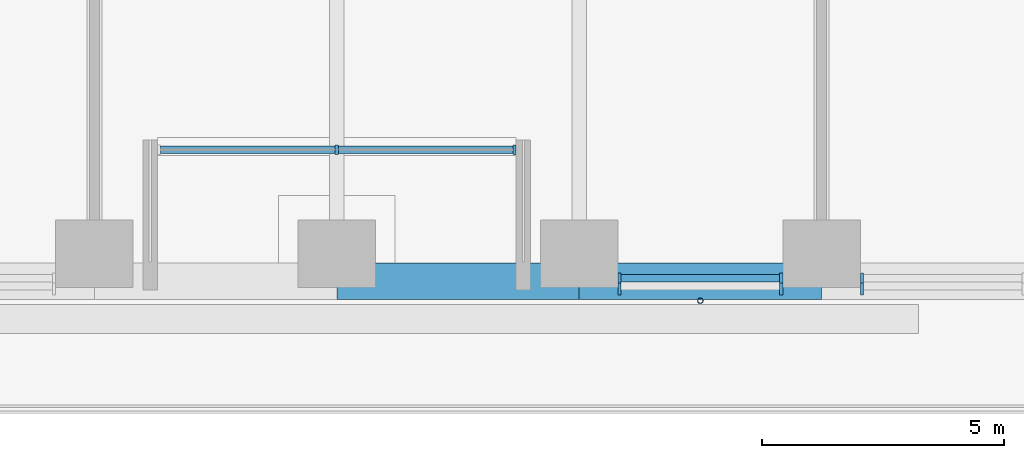
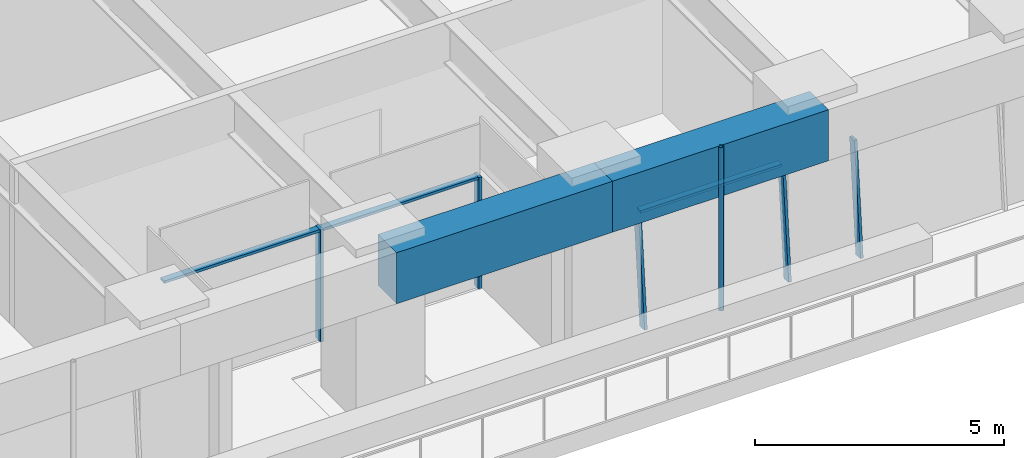
# One storey, part 4 of 24: 8 members, 2 beams, 3 elements without a shape of their own.
"""IFC4 building model written with IfcOpenShell, lengths in metres."""

from ifc_helpers import new_model, si_unit, direction, frame, origin, origin_2d, place, context, subcontext, project, spatial, rectangle, hollow_circle, extrude, material, material_profile, profile_set, type_object, element, aggregate, save


model = new_model("IFC4")

# Units and contexts
model_context = context("Model", 3, precision=1e-05, world=origin(), true_north=direction((0.0, 1.0)))
body_context = subcontext(model_context, "Body", "Model", "MODEL_VIEW")
ifc_project = project(units=[si_unit("LENGTHUNIT", "METRE"), si_unit("AREAUNIT", "SQUARE_METRE"), si_unit("VOLUMEUNIT", "CUBIC_METRE"), si_unit("PLANEANGLEUNIT", "RADIAN"), si_unit("MASSUNIT", "GRAM", prefix="KILO")], contexts=[model_context])

# Site, building, storey
site_placement = place(None, origin())
site = spatial("IfcSite", under=ifc_project, at=site_placement, CompositionType="ELEMENT")
building_placement = place(site_placement, origin())
building = spatial("IfcBuilding", under=site, at=building_placement, Name="Tarfa Lantern Tower", CompositionType="ELEMENT")
storey_placement = place(building_placement, frame((0.0, 0.0, 178.300048828125)))
storey = spatial("IfcBuildingStorey", under=building, at=storey_placement, Name="L40", CompositionType="ELEMENT", Elevation=178.300048828125)

# Curtain wall, members
ifc_material_1 = material(Name="Aluminium framed curtain wall", Category="aluminium")
curtain_wall_type_1 = type_object("IfcCurtainWallType", Name="CW2 CANTED GLAZING MID ZONE 2750", PredefinedType="USERDEFINED", material=ifc_material_1)
curtain_wall_1_placement = place(storey_placement, origin())
curtain_wall_1 = element("IfcCurtainWall", 1, at=curtain_wall_1_placement, inside=storey, type_object=curtain_wall_type_1, Name="CW2 SB L40", ObjectType="CURTAIN WALL", PredefinedType="USERDEFINED")
ifc_material_2 = material(Name="Aluminium mullion", Category="aluminium")
ifc_material_profile_1 = material_profile(ifc_material_2, rectangle(XDim=0.06494140625, YDim=0.199951171875, at=origin_2d()), Name="AL MULLION 65x200")
ifc_profile_set_1 = profile_set([ifc_material_profile_1], Name="Aluminium mullion")
member_type_1 = type_object("IfcMemberType", Name="CWM1 MULLION 65x200", PredefinedType="MULLION", material=ifc_profile_set_1)
member_1_placement = place(storey_placement, frame((5.836181640625, -31.39990234375, 0.0), z_axis=(0.0, 0.090535746043, 0.995893206468), x_axis=(-1.0, 0.0, 0.0)))
member_1 = element("IfcMember", 2, at=member_1_placement, type_object=member_type_1, Name="CW2 mullion 1", PredefinedType="MULLION", context=body_context, shape_type="SweptSolid", body=[
    extrude(rectangle(XDim=0.06494140625, YDim=0.199951171875, at=origin_2d()), origin(), (0.0, 0.0, 1.0), 2.76123046875),
])
member_2_placement = place(storey_placement, frame((9.1748046875, -31.39990234375, 0.0), z_axis=(0.0, 0.090535746043, 0.995893206468), x_axis=(-1.0, 0.0, 0.0)))
member_2 = element("IfcMember", 3, at=member_2_placement, type_object=member_type_1, Name="CW2 mullion 2", PredefinedType="MULLION", context=body_context, shape_type="SweptSolid", body=[
    extrude(rectangle(XDim=0.06494140625, YDim=0.199951171875, at=origin_2d()), origin(), (0.0, 0.0, 1.0), 2.76123046875),
])

# Curtain wall, member
curtain_wall_2_placement = place(storey_placement, origin())
curtain_wall_2 = element("IfcCurtainWall", 4, at=curtain_wall_2_placement, inside=storey, type_object=curtain_wall_type_1, Name="CW2 SB L40", ObjectType="CURTAIN WALL", PredefinedType="USERDEFINED")
member_3_placement = place(storey_placement, frame((10.83984375, -31.39990234375, 0.0), z_axis=(0.0, 0.090535746043, 0.995893206468), x_axis=(-1.0, 0.0, 0.0)))
member_3 = element("IfcMember", 5, at=member_3_placement, type_object=member_type_1, Name="CW2 mullion 1", PredefinedType="MULLION", context=body_context, shape_type="SweptSolid", body=[
    extrude(rectangle(XDim=0.06494140625, YDim=0.199951171875, at=origin_2d()), origin(), (0.0, 0.0, 1.0), 2.76123046875),
])
aggregate(curtain_wall_2, [member_3])

# Curtain wall, members
curtain_wall_type_2 = type_object("IfcCurtainWallType", Name="CW10 LOGGIA GLAZING 2750", PredefinedType="USERDEFINED", material=ifc_material_1)
curtain_wall_3_placement = place(storey_placement, origin())
curtain_wall_3 = element("IfcCurtainWall", 6, at=curtain_wall_3_placement, inside=storey, type_object=curtain_wall_type_2, Name="CW10 SL L40", ObjectType="CURTAIN WALL", PredefinedType="USERDEFINED")
member_4_placement = place(storey_placement, frame((0.0, -28.5, 0.0), z_axis=(0.0, 0.0, 1.0), x_axis=(1.0, 0.0, 0.0)))
member_4 = element("IfcMember", 7, at=member_4_placement, type_object=member_type_1, Name="CW10 mullion 2", PredefinedType="MULLION", context=body_context, shape_type="SweptSolid", body=[
    extrude(rectangle(XDim=0.06494140625, YDim=0.199951171875, at=origin_2d()), origin(), (0.0, 0.0, 1.0), 2.75),
])
member_5_placement = place(storey_placement, frame((3.671142578125, -28.5, 0.0), z_axis=(0.0, 0.0, 1.0), x_axis=(1.0, 0.0, 0.0)))
member_5 = element("IfcMember", 8, at=member_5_placement, type_object=member_type_1, Name="CW10 mullion 3", PredefinedType="MULLION", context=body_context, shape_type="SweptSolid", body=[
    extrude(rectangle(XDim=0.06494140625, YDim=0.199951171875, at=origin_2d()), origin(), (0.0, 0.0, 1.0), 2.75),
])

# Member
ifc_material_3 = material(Name="Aluminium transom", Category="aluminium")
ifc_material_profile_2 = material_profile(ifc_material_3, rectangle(XDim=0.14990234375, YDim=0.06494140625, at=origin_2d()), Name="AL TRANSOM 150x65")
ifc_profile_set_2 = profile_set([ifc_material_profile_2], Name="Aluminium transom")
member_type_2 = type_object("IfcMemberType", Name="CWT1 TRANSOM 150x65", PredefinedType="USERDEFINED", material=ifc_profile_set_2)
member_6_placement = place(storey_placement, frame((5.86865234375, -31.153076171875, 2.717529296875), z_axis=(1.0, 0.0, 0.0), x_axis=(0.0, 1.0, 0.0)))
member_6 = element("IfcMember", 9, at=member_6_placement, type_object=member_type_2, Name="CW2 transom 1.2", ObjectType="TRANSOM", PredefinedType="USERDEFINED", context=body_context, shape_type="SweptSolid", body=[
    extrude(rectangle(XDim=0.14990234375, YDim=0.06494140625, at=origin_2d()), origin(), (0.0, 0.0, 1.0), 3.273681640625),
])

aggregate(curtain_wall_1, [member_1, member_2, member_6])

member_7_placement = place(storey_placement, frame((-3.638671875, -28.5, 2.717529296875), z_axis=(1.0, 0.0, 0.0), x_axis=(0.0, 1.0, 0.0)))
member_7 = element("IfcMember", 10, at=member_7_placement, type_object=member_type_2, Name="CW10 transom 1.2", ObjectType="TRANSOM", PredefinedType="USERDEFINED", context=body_context, shape_type="SweptSolid", body=[
    extrude(rectangle(XDim=0.14990234375, YDim=0.06494140625, at=origin_2d()), origin(), (0.0, 0.0, 1.0), 7.27734375),
])

aggregate(curtain_wall_3, [member_4, member_5, member_7])

# Beams
ifc_material_4 = material(Name="Concrete C80/95", Category="concrete")
ifc_material_profile_3 = material_profile(ifc_material_4, rectangle(XDim=0.75, YDim=1.25, at=origin_2d()), Name="RC 750x1250")
ifc_profile_set_3 = profile_set([ifc_material_profile_3], Name="Concrete C80/95")
beam_type = type_object("IfcBeamType", Name="EB2 RC 750x1250", PredefinedType="SPANDREL", material=ifc_profile_set_3)
for number, where, z_axis, x_axis, name in (
    (11, (0.0, -31.219970703125, 3.375), (1.0, 0.0, 0.0), (0.0, 1.0, 0.0), "Edge beam S3"),
    (12, (5.003662109375, -31.219970703125, 3.375), (1.0, 0.0, 0.0), (0.0, 1.0, 0.0), "Edge beam S4"),
):
    element("IfcBeam", number, at=place(storey_placement, frame(where, z_axis=z_axis, x_axis=x_axis)), inside=storey, type_object=beam_type, Name=name, PredefinedType="SPANDREL", context=body_context, shape_type="SweptSolid", body=[
        extrude(rectangle(XDim=0.75, YDim=1.25, at=origin_2d()), origin(), (0.0, 0.0, 1.0), 5.003662109375),
    ])

# Member
ifc_material_5 = material(Name="Steel S355", Category="steel")
ifc_material_profile_4 = material_profile(ifc_material_5, hollow_circle(Radius=0.05712890625, WallThickness=0.00634765625, at=origin_2d()), Name="CHS114.3x6.3")
ifc_profile_set_4 = profile_set([ifc_material_profile_4], Name="Steel S355")
member_type_3 = type_object("IfcMemberType", Name="TR1 GREEN WALL TRELLIS CHS114.3x6.3", PredefinedType="USERDEFINED", material=ifc_profile_set_4)
member_8_placement = place(storey_placement, frame((7.505615234375, -31.6201171875, 0.0), z_axis=(0.0, 0.0, 1.0), x_axis=(1.0, 0.0, 0.0)))
element("IfcMember", 13, at=member_8_placement, inside=storey, type_object=member_type_3, Name="Trellis post S 2", ObjectType="TRELLIS", PredefinedType="USERDEFINED", context=body_context, shape_type="SweptSolid", body=[
    extrude(hollow_circle(Radius=0.05712890625, WallThickness=0.00634765625, at=origin_2d()), origin(), (0.0, 0.0, 1.0), 4.0),
])

save(model, "model.ifc")
